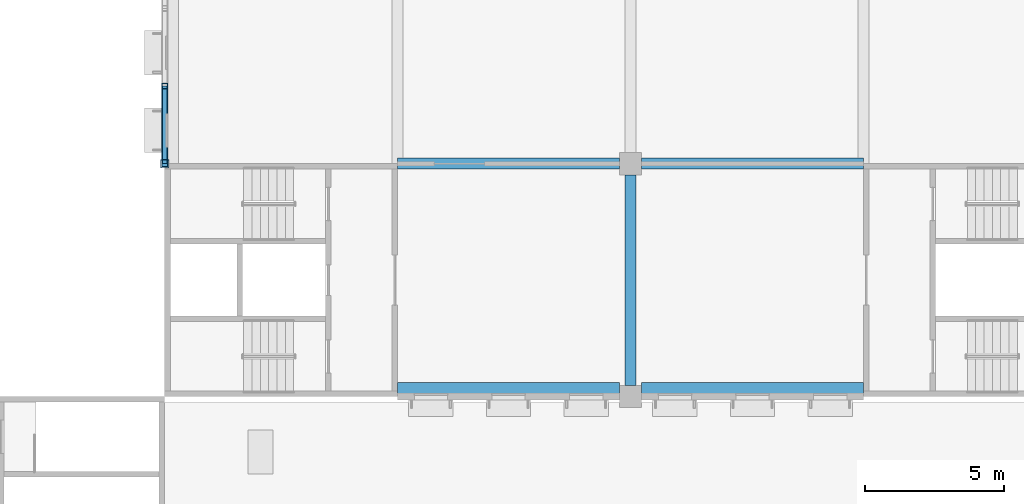
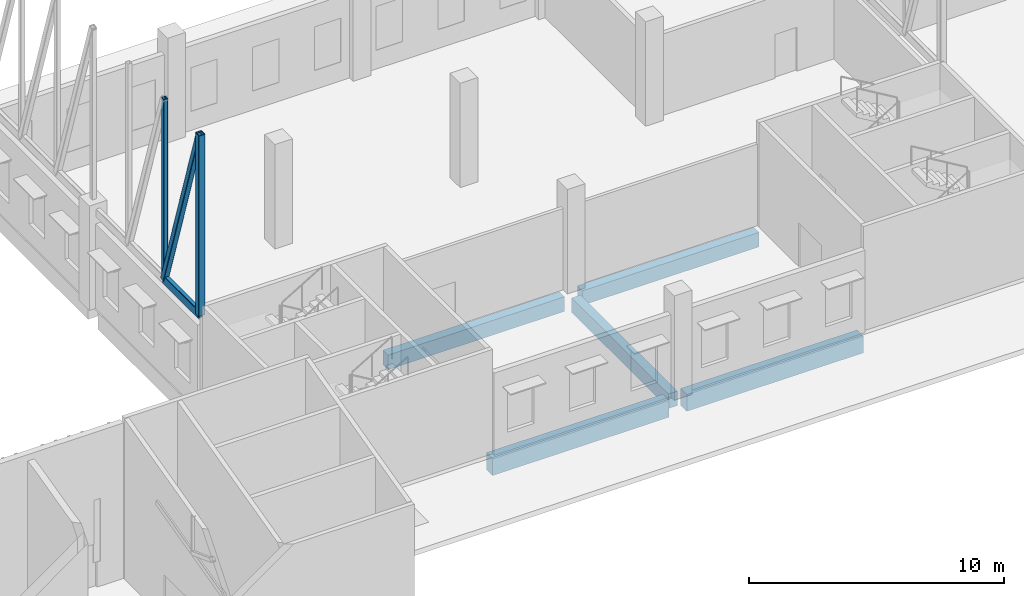
# One storey, part 7 of 101: 5 beams, 4 members.
"""IFC4 building model written with IfcOpenShell, lengths in metres."""

from ifc_helpers import new_model, si_unit, direction, frame, origin, origin_2d, place, context, subcontext, project, spatial, rectangle, hollow_rectangle, extrude, material, material_profile, profile_set, type_object, element, save


model = new_model("IFC4")

# Units and contexts
model_context = context("Model", 3, precision=1e-05, world=origin(), true_north=direction((0.0, 1.0)))
body_context = subcontext(model_context, "Body", "Model", "MODEL_VIEW")
ifc_project = project(units=[si_unit("LENGTHUNIT", "METRE"), si_unit("AREAUNIT", "SQUARE_METRE"), si_unit("VOLUMEUNIT", "CUBIC_METRE"), si_unit("PLANEANGLEUNIT", "RADIAN"), si_unit("MASSUNIT", "GRAM", prefix="KILO")], contexts=[model_context])

# Site, building, storey
site_placement = place(None, origin())
site = spatial("IfcSite", under=ifc_project, at=site_placement, CompositionType="ELEMENT")
building_placement = place(site_placement, origin())
building = spatial("IfcBuilding", under=site, at=building_placement, Name="Almond Square Museum", CompositionType="ELEMENT")
storey_placement = place(building_placement, frame((0.0, 0.0, 5.5)))
storey = spatial("IfcBuildingStorey", under=building, at=storey_placement, Name="L01", CompositionType="ELEMENT", Elevation=5.5)

# Beams
ifc_material_1 = material(Name="Concrete C40/50", Category="concrete")
ifc_material_profile_1 = material_profile(ifc_material_1, rectangle(XDim=0.39990234375, YDim=0.699951171875, at=origin_2d()))
ifc_profile_set_1 = profile_set([ifc_material_profile_1], Name="Concrete C40/50")
beam_type_1 = type_object("IfcBeamType", Name="RC beam 400 x 700 C40/50", PredefinedType="BEAM", material=ifc_profile_set_1)
for number, where, z_axis, x_axis, name in (
    (1, (48.0, 92.39990234375, -0.60009765625), (1.0, 0.0, 0.0), (0.0, 1.0, 0.0), "Beam L 7-8 L01"),
    (2, (56.800048828125, 92.39990234375, -0.60009765625), (1.0, 0.0, 0.0), (0.0, 1.0, 0.0), "Beam L 8-9 L01"),
):
    element("IfcBeam", number, at=place(storey_placement, frame(where, z_axis=z_axis, x_axis=x_axis)), inside=storey, type_object=beam_type_1, Name=name, PredefinedType="BEAM", context=body_context, shape_type="SweptSolid", body=[
        extrude(rectangle(XDim=0.39990234375, YDim=0.699951171875, at=origin_2d()), origin(), (0.0, 0.0, 1.0), 8.0),
    ])
beam_placement = place(storey_placement, frame((56.39990234375, 84.39990234375, -0.60009765625), z_axis=(0.0, 1.0, 0.0), x_axis=(-1.0, 0.0, 0.0)))
element("IfcBeam", 3, at=beam_placement, inside=storey, type_object=beam_type_1, Name="Beam 8 K-L L01", PredefinedType="BEAM", context=body_context, shape_type="SweptSolid", body=[
    extrude(rectangle(XDim=0.39990234375, YDim=0.699951171875, at=origin_2d()), origin(), (0.0, 0.0, 1.0), 7.60009765625),
])
ifc_material_2 = material(Name="Concrete C40/50", Category="concrete")
ifc_material_profile_2 = material_profile(ifc_material_2, rectangle(XDim=0.5, YDim=0.800048828125, at=origin_2d()))
ifc_profile_set_2 = profile_set([ifc_material_profile_2], Name="Concrete C40/50")
beam_type_2 = type_object("IfcBeamType", Name="RC edge beam 500 x 800 C40/50", PredefinedType="BEAM", material=ifc_profile_set_2)
for number, where, z_axis, x_axis, name in (
    (4, (48.0, 84.25, -0.64990234375), (1.0, 0.0, 0.0), (0.0, 1.0, 0.0), "Edge beam K 7-8 L01"),
    (5, (56.800048828125, 84.25, -0.64990234375), (1.0, 0.0, 0.0), (0.0, 1.0, 0.0), "Edge beam K 8-9 L01"),
):
    element("IfcBeam", number, at=place(storey_placement, frame(where, z_axis=z_axis, x_axis=x_axis)), inside=storey, type_object=beam_type_2, Name=name, PredefinedType="BEAM", context=body_context, shape_type="SweptSolid", body=[
        extrude(rectangle(XDim=0.5, YDim=0.800048828125, at=origin_2d()), origin(), (0.0, 0.0, 1.0), 8.0),
    ])

# Members
ifc_material_3 = material(Name="Structural steel S355", Category="steel")
ifc_material_profile_3 = material_profile(ifc_material_3, hollow_rectangle(XDim=0.199951171875, YDim=0.39990234375, WallThickness=0.012451171875, InnerFilletRadius=0.02490234375, OuterFilletRadius=0.03759765625, at=origin_2d()))
ifc_profile_set_3 = profile_set([ifc_material_profile_3], Name="Structural steel S355")
member_type_1 = type_object("IfcMemberType", Name="Truss chord RHS 400x200x12.5", PredefinedType="CHORD", material=ifc_profile_set_3)
member_1_placement = place(storey_placement, frame((39.60009765625, 92.39990234375, 4.550048828125), z_axis=(0.0, 1.0, 0.0), x_axis=(-1.0, 0.0, 0.0)))
element("IfcMember", 6, at=member_1_placement, inside=storey, type_object=member_type_1, Name="TR-16 bottom chord 1", PredefinedType="CHORD", context=body_context, shape_type="SweptSolid", body=[
    extrude(hollow_rectangle(XDim=0.199951171875, YDim=0.39990234375, WallThickness=0.012451171875, InnerFilletRadius=0.02490234375, OuterFilletRadius=0.03759765625, at=origin_2d()), origin(), (0.0, 0.0, 1.0), 2.800048828125),
])
ifc_material_4 = material(Name="Structural steel S355", Category="steel")
ifc_material_profile_4 = material_profile(ifc_material_4, hollow_rectangle(XDim=0.25, YDim=0.25, WallThickness=0.012451171875, InnerFilletRadius=0.02490234375, OuterFilletRadius=0.03759765625, at=origin_2d()))
ifc_profile_set_4 = profile_set([ifc_material_profile_4], Name="Structural steel S355")
member_type_2 = type_object("IfcMemberType", Name="Truss diagonal SHS 250x250x12.5", PredefinedType="BRACE", material=ifc_profile_set_4)
member_2_placement = place(storey_placement, frame((39.60009765625, 92.39990234375, 13.199951171875), z_axis=(0.0, 0.307974711219, -0.95139454342), x_axis=(-1.0, 0.0, 0.0)))
element("IfcMember", 7, at=member_2_placement, inside=storey, type_object=member_type_2, Name="TR-16 diagonal 1", PredefinedType="BRACE", context=body_context, shape_type="SweptSolid", body=[
    extrude(hollow_rectangle(XDim=0.25, YDim=0.25, WallThickness=0.012451171875, InnerFilletRadius=0.02490234375, OuterFilletRadius=0.03759765625, at=origin_2d()), origin(), (0.0, 0.0, 1.0), 9.091796875),
])
ifc_material_5 = material(Name="Structural steel S355", Category="steel")
ifc_material_profile_5 = material_profile(ifc_material_5, hollow_rectangle(XDim=0.199951171875, YDim=0.199951171875, WallThickness=0.010009765625, InnerFilletRadius=0.014892578125, OuterFilletRadius=0.02490234375, at=origin_2d()))
ifc_profile_set_5 = profile_set([ifc_material_profile_5], Name="Structural steel S355")
member_type_3 = type_object("IfcMemberType", Name="Truss post SHS 200x200x10", PredefinedType="POST", material=ifc_profile_set_5)
member_3_placement = place(storey_placement, frame((39.60009765625, 95.199951171875, 4.550048828125), z_axis=(0.0, 0.0, 1.0), x_axis=(1.0, 0.0, 0.0)))
element("IfcMember", 8, at=member_3_placement, inside=storey, type_object=member_type_3, Name="TR-16 post 2", PredefinedType="POST", context=body_context, shape_type="SweptSolid", body=[
    extrude(hollow_rectangle(XDim=0.199951171875, YDim=0.199951171875, WallThickness=0.010009765625, InnerFilletRadius=0.014892578125, OuterFilletRadius=0.02490234375, at=origin_2d()), origin(), (0.0, 0.0, 1.0), 8.64990234375),
])
ifc_material_6 = material(Name="Structural steel S355", Category="steel")
ifc_material_profile_6 = material_profile(ifc_material_6, hollow_rectangle(XDim=0.300048828125, YDim=0.300048828125, WallThickness=0.012451171875, InnerFilletRadius=0.02490234375, OuterFilletRadius=0.03759765625, at=origin_2d()))
ifc_profile_set_6 = profile_set([ifc_material_profile_6], Name="Structural steel S355")
member_type_4 = type_object("IfcMemberType", Name="Truss post SHS 300x300x12.5", PredefinedType="POST", material=ifc_profile_set_6)
member_4_placement = place(storey_placement, frame((39.60009765625, 92.39990234375, 4.550048828125), z_axis=(0.0, 0.0, 1.0), x_axis=(1.0, 0.0, 0.0)))
element("IfcMember", 9, at=member_4_placement, inside=storey, type_object=member_type_4, Name="TR-16 post 1", PredefinedType="POST", context=body_context, shape_type="SweptSolid", body=[
    extrude(hollow_rectangle(XDim=0.300048828125, YDim=0.300048828125, WallThickness=0.012451171875, InnerFilletRadius=0.02490234375, OuterFilletRadius=0.03759765625, at=origin_2d()), origin(), (0.0, 0.0, 1.0), 8.64990234375),
])

save(model, "model.ifc")
